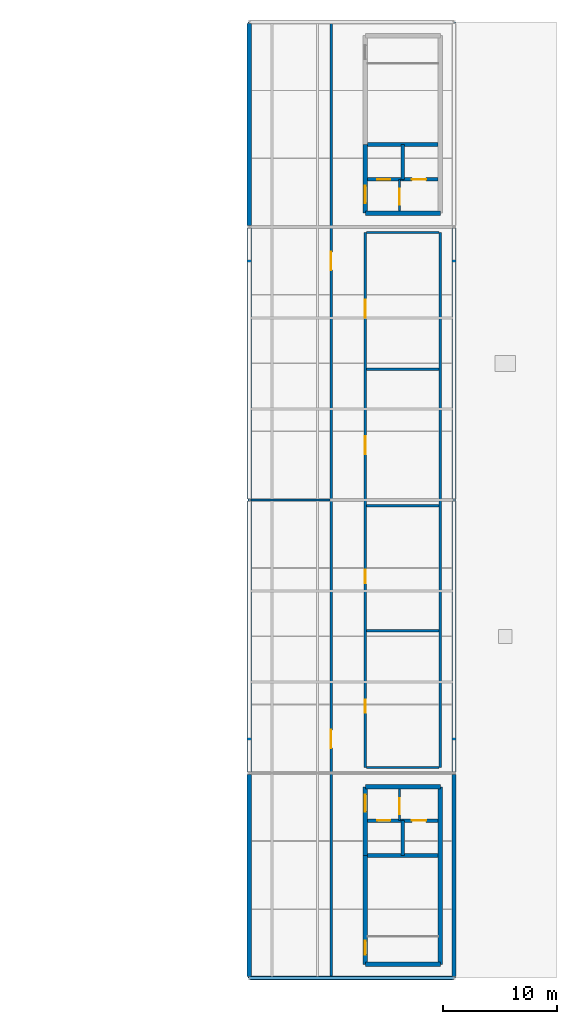
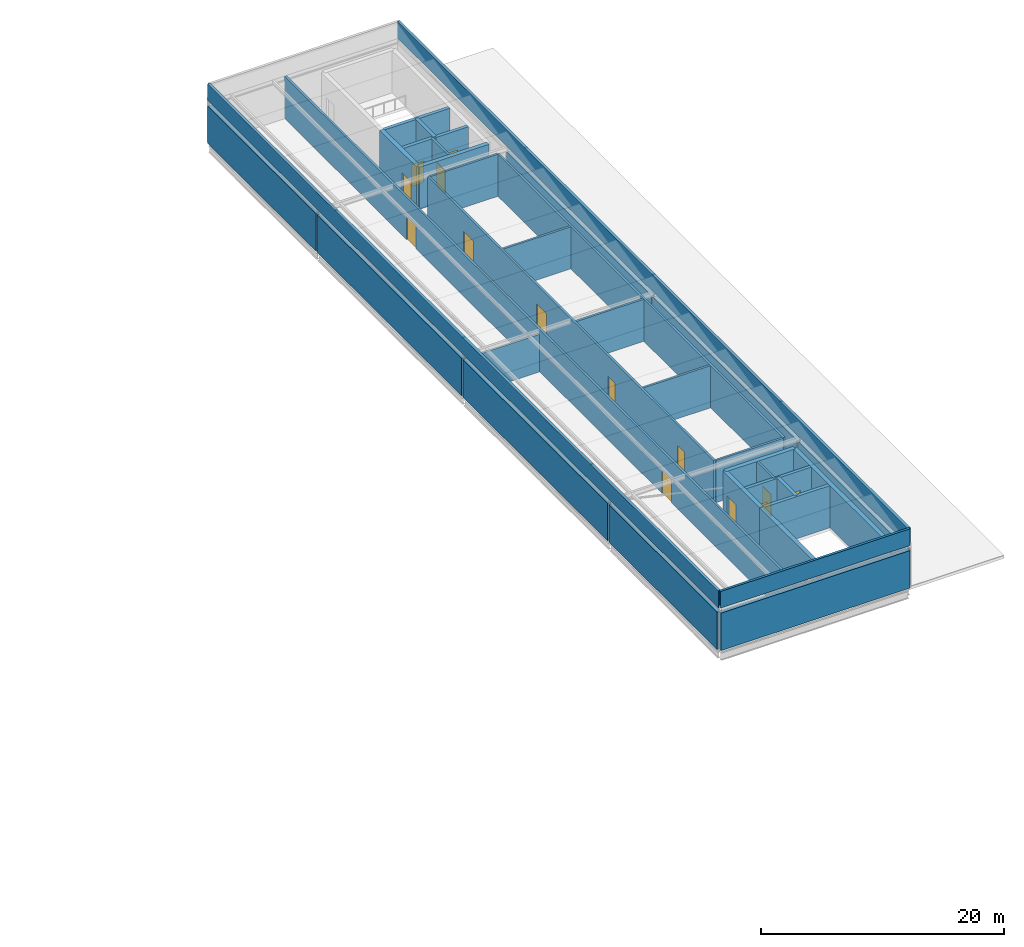
# One storey, part 11 of 13: 37 walls, 15 doors, 15 openings.
"""IFC4 building model written with IfcOpenShell, lengths in metres."""

from ifc_helpers import new_model, si_unit, direction, frame, frame_2d, origin, place, context, subcontext, project, spatial, rectangle, extrude, material, layer, layer_set, type_object, element, fill, save


model = new_model("IFC4")

# Units and contexts
model_context = context("Model", 3, precision=1e-05, world=origin(), true_north=direction((0.0, 1.0)))
body_context = subcontext(model_context, "Body", "Model", "MODEL_VIEW")
ifc_project = project(units=[si_unit("LENGTHUNIT", "METRE"), si_unit("AREAUNIT", "SQUARE_METRE"), si_unit("VOLUMEUNIT", "CUBIC_METRE"), si_unit("PLANEANGLEUNIT", "RADIAN"), si_unit("MASSUNIT", "GRAM", prefix="KILO")], contexts=[model_context])

# Site, building, storey
site_placement = place(None, origin())
site = spatial("IfcSite", under=ifc_project, at=site_placement, CompositionType="ELEMENT")
building_placement = place(site_placement, origin())
building = spatial("IfcBuilding", under=site, at=building_placement, Name="Kisiwana Market Hall", CompositionType="ELEMENT")
storey_placement = place(building_placement, frame((0.0, 0.0, 69.89990234375)))
storey = spatial("IfcBuildingStorey", under=building, at=storey_placement, Name="L16", CompositionType="ELEMENT", Elevation=69.89990234375)

# Wall, opening, door
ifc_material_1 = material(Name="Masonry blockwork", Category="masonry")
ifc_layer_1 = layer(ifc_material_1, 0.199951171875, Name="Plastered fire compartment block wall")
ifc_layer_set_1 = layer_set([ifc_layer_1], Name="WL-COMP-200")
wall_type_1 = type_object("IfcWallType", Name="WL-COMP-200", PredefinedType="PARTITIONING", material=ifc_layer_set_1)
wall_1_placement = place(storey_placement, frame((184.199951171875, 31.820068359375, 0.0), z_axis=(0.0, 0.0, 1.0), x_axis=(0.0, 1.0, 0.0)))
wall_1 = element("IfcWall", 1, at=wall_1_placement, inside=storey, type_object=wall_type_1, Name="Core E2 firefighting lobby wall W-3549", PredefinedType="PARTITIONING", context=body_context, shape_type="SweptSolid", body=[
    extrude(rectangle(XDim=2.780029296875, YDim=0.199951171875, at=frame_2d((1.39013671875, 0.0))), origin(), (0.0, 0.0, 1.0), 4.22509765625),
])
opening_1_placement = place(wall_1_placement, frame((0.550048828125, 0.0, 0.0)))
opening_1 = element("IfcOpeningElement", 2, at=opening_1_placement, cuts=wall_1, Name="Opening DR-L16-009", PredefinedType="OPENING", context=body_context, shape_type="SweptSolid", body=[
    extrude(rectangle(XDim=1.39990234375, YDim=2.25, at=frame_2d((0.699951171875, 1.125))), frame((0.0, 0.11181640625, 0.0), z_axis=(0.0, -1.0, 0.0), x_axis=(1.0, 0.0, 0.0)), (0.0, 0.0, 1.0), 0.223876953125),
])
ifc_material_2 = material(Name="Steel S275", Category="steel")
door_type_1 = type_object("IfcDoorType", Name="DR-FFLOB-FD120-1400", OperationType="DOUBLE_DOOR_SINGLE_SWING", PredefinedType="DOOR", material=ifc_material_2)
door_1_placement = place(opening_1_placement, origin())
door_1 = element("IfcDoor", 3, at=door_1_placement, inside=storey, type_object=door_type_1, Name="Firefighting Lift Lobby E2 Door (L16)", OperationType="DOUBLE_DOOR_SINGLE_SWING", OverallHeight=2.25, OverallWidth=1.39990234375, PredefinedType="DOOR", context=body_context, shape_type="SweptSolid", body=[
    extrude(rectangle(XDim=1.39990234375, YDim=2.25, at=frame_2d((0.699951171875, 1.125))), frame((0.0, 0.02490234375, 0.0), z_axis=(0.0, -1.0, 0.0), x_axis=(1.0, 0.0, 0.0)), (0.0, 0.0, 1.0), 0.050048828125),
])
fill(opening_1, door_1)

wall_2_placement = place(storey_placement, frame((184.199951171875, 85.39990234375, 0.0), z_axis=(0.0, 0.0, 1.0), x_axis=(0.0, 1.0, 0.0)))
wall_2 = element("IfcWall", 4, at=wall_2_placement, inside=storey, type_object=wall_type_1, Name="Core E1 firefighting lobby wall W-3550", PredefinedType="PARTITIONING", context=body_context, shape_type="SweptSolid", body=[
    extrude(rectangle(XDim=2.780029296875, YDim=0.199951171875, at=frame_2d((1.39013671875, 0.0))), origin(), (0.0, 0.0, 1.0), 4.22509765625),
])
opening_2_placement = place(wall_2_placement, frame((0.550048828125, 0.0, 0.0)))
opening_2 = element("IfcOpeningElement", 5, at=opening_2_placement, cuts=wall_2, Name="Opening DR-L16-012", PredefinedType="OPENING", context=body_context, shape_type="SweptSolid", body=[
    extrude(rectangle(XDim=1.39990234375, YDim=2.25, at=frame_2d((0.699951171875, 1.125))), frame((0.0, 0.11181640625, 0.0), z_axis=(0.0, -1.0, 0.0), x_axis=(1.0, 0.0, 0.0)), (0.0, 0.0, 1.0), 0.223876953125),
])
door_2_placement = place(opening_2_placement, origin())
door_2 = element("IfcDoor", 6, at=door_2_placement, inside=storey, type_object=door_type_1, Name="Firefighting Lift Lobby E1 Door (L16)", OperationType="DOUBLE_DOOR_SINGLE_SWING", OverallHeight=2.25, OverallWidth=1.39990234375, PredefinedType="DOOR", context=body_context, shape_type="SweptSolid", body=[
    extrude(rectangle(XDim=1.39990234375, YDim=2.25, at=frame_2d((0.699951171875, 1.125))), frame((0.0, 0.02490234375, 0.0), z_axis=(0.0, -1.0, 0.0), x_axis=(1.0, 0.0, 0.0)), (0.0, 0.0, 1.0), 0.050048828125),
])
fill(opening_2, door_2)

# Wall
wall_3_placement = place(storey_placement, frame((187.800048828125, 36.5, 0.0), z_axis=(0.0, 0.0, 1.0), x_axis=(0.0, 1.0, 0.0)))
element("IfcWall", 7, at=wall_3_placement, inside=storey, type_object=wall_type_1, Name="Interior partition W-3560", PredefinedType="PARTITIONING", context=body_context, shape_type="SweptSolid", body=[
    extrude(rectangle(XDim=47.0, YDim=0.199951171875, at=frame_2d((23.5, 0.0))), origin(), (0.0, 0.0, 1.0), 4.22509765625),
])

# Wall, openings, doors
wall_4_placement = place(storey_placement, frame((181.199951171875, 36.5, 0.0), z_axis=(0.0, 0.0, 1.0), x_axis=(0.0, 1.0, 0.0)))
wall_4 = element("IfcWall", 8, at=wall_4_placement, inside=storey, type_object=wall_type_1, Name="Interior partition W-3561", PredefinedType="PARTITIONING", context=body_context, shape_type="SweptSolid", body=[
    extrude(rectangle(XDim=47.0, YDim=0.199951171875, at=frame_2d((23.5, 0.0))), origin(), (0.0, 0.0, 1.0), 4.22509765625),
])
opening_3_placement = place(wall_4_placement, frame((4.800048828125, 0.0, 0.0)))
opening_3 = element("IfcOpeningElement", 9, at=opening_3_placement, cuts=wall_4, Name="Opening DR-L16-019", PredefinedType="OPENING", context=body_context, shape_type="SweptSolid", body=[
    extrude(rectangle(XDim=1.14990234375, YDim=2.14990234375, at=frame_2d((0.574951171875, 1.074951171875))), frame((0.0, 0.11181640625, 0.0), z_axis=(0.0, -1.0, 0.0), x_axis=(1.0, 0.0, 0.0)), (0.0, 0.0, 1.0), 0.223876953125),
])
opening_4_placement = place(wall_4_placement, frame((16.199951171875, 0.0, 0.0)))
opening_4 = element("IfcOpeningElement", 10, at=opening_4_placement, cuts=wall_4, Name="Opening DR-L16-020", PredefinedType="OPENING", context=body_context, shape_type="SweptSolid", body=[
    extrude(rectangle(XDim=1.14990234375, YDim=2.14990234375, at=frame_2d((0.574951171875, 1.074951171875))), frame((0.0, 0.11181640625, 0.0), z_axis=(0.0, -1.0, 0.0), x_axis=(1.0, 0.0, 0.0)), (0.0, 0.0, 1.0), 0.223876953125),
])
opening_5_placement = place(wall_4_placement, frame((27.5, 0.0, 0.0)))
opening_5 = element("IfcOpeningElement", 11, at=opening_5_placement, cuts=wall_4, Name="Opening DR-L16-021", PredefinedType="OPENING", context=body_context, shape_type="SweptSolid", body=[
    extrude(rectangle(XDim=1.60009765625, YDim=2.300048828125, at=frame_2d((0.800048828125, 1.14990234375))), frame((0.0, 0.11181640625, 0.0), z_axis=(0.0, -1.0, 0.0), x_axis=(1.0, 0.0, 0.0)), (0.0, 0.0, 1.0), 0.223876953125),
])
opening_6_placement = place(wall_4_placement, frame((39.5, 0.0, 0.0)))
opening_6 = element("IfcOpeningElement", 12, at=opening_6_placement, cuts=wall_4, Name="Opening DR-L16-022", PredefinedType="OPENING", context=body_context, shape_type="SweptSolid", body=[
    extrude(rectangle(XDim=1.60009765625, YDim=2.300048828125, at=frame_2d((0.800048828125, 1.14990234375))), frame((0.0, 0.11181640625, 0.0), z_axis=(0.0, -1.0, 0.0), x_axis=(1.0, 0.0, 0.0)), (0.0, 0.0, 1.0), 0.223876953125),
])
ifc_material_3 = material(Name="Aluminium alloy 6063-T6", Category="aluminium")
door_type_2 = type_object("IfcDoorType", Name="DR-MEET-1150", OperationType="NOTDEFINED", PredefinedType="DOOR", material=ifc_material_3)
door_3_placement = place(opening_3_placement, origin())
door_3 = element("IfcDoor", 13, at=door_3_placement, inside=storey, type_object=door_type_2, Name="L16 E Observatory Gallery Door", OperationType="SINGLE_SWING_LEFT", OverallHeight=2.14990234375, OverallWidth=1.14990234375, PredefinedType="DOOR", context=body_context, shape_type="SweptSolid", body=[
    extrude(rectangle(XDim=1.14990234375, YDim=2.14990234375, at=frame_2d((0.574951171875, 1.074951171875))), frame((0.0, 0.02490234375, 0.0), z_axis=(0.0, -1.0, 0.0), x_axis=(1.0, 0.0, 0.0)), (0.0, 0.0, 1.0), 0.050048828125),
])
fill(opening_3, door_3)
door_4_placement = place(opening_4_placement, frame((1.14990234375, 0.0, 0.0), z_axis=(0.0, 0.0, 1.0), x_axis=(-1.0, 0.0, 0.0)))
door_4 = element("IfcDoor", 14, at=door_4_placement, inside=storey, type_object=door_type_2, Name="L16 E Crown Executive Boardroom Door", OperationType="SINGLE_SWING_RIGHT", OverallHeight=2.14990234375, OverallWidth=1.14990234375, PredefinedType="DOOR", context=body_context, shape_type="SweptSolid", body=[
    extrude(rectangle(XDim=1.14990234375, YDim=2.14990234375, at=frame_2d((0.574951171875, 1.074951171875))), frame((0.0, 0.02490234375, 0.0), z_axis=(0.0, -1.0, 0.0), x_axis=(1.0, 0.0, 0.0)), (0.0, 0.0, 1.0), 0.050048828125),
])
fill(opening_4, door_4)
ifc_material_4 = material(Name="Steel S275", Category="steel")
door_type_3 = type_object("IfcDoorType", Name="DR-PLANT-FD120-1600", OperationType="DOUBLE_DOOR_SINGLE_SWING", PredefinedType="DOOR", material=ifc_material_4)
door_5_placement = place(opening_5_placement, frame((1.60009765625, 0.0, 0.0), z_axis=(0.0, 0.0, 1.0), x_axis=(-1.0, 0.0, 0.0)))
door_5 = element("IfcDoor", 15, at=door_5_placement, inside=storey, type_object=door_type_3, Name="L16 E Water Tank Room Door", OperationType="DOUBLE_DOOR_SINGLE_SWING", OverallHeight=2.300048828125, OverallWidth=1.60009765625, PredefinedType="DOOR", context=body_context, shape_type="SweptSolid", body=[
    extrude(rectangle(XDim=1.60009765625, YDim=2.300048828125, at=frame_2d((0.800048828125, 1.14990234375))), frame((0.0, 0.02490234375, 0.0), z_axis=(0.0, -1.0, 0.0), x_axis=(1.0, 0.0, 0.0)), (0.0, 0.0, 1.0), 0.050048828125),
])
fill(opening_5, door_5)
door_6_placement = place(opening_6_placement, frame((1.60009765625, 0.0, 0.0), z_axis=(0.0, 0.0, 1.0), x_axis=(-1.0, 0.0, 0.0)))
door_6 = element("IfcDoor", 16, at=door_6_placement, inside=storey, type_object=door_type_3, Name="L16 E Chiller Plant Door", OperationType="DOUBLE_DOOR_SINGLE_SWING", OverallHeight=2.300048828125, OverallWidth=1.60009765625, PredefinedType="DOOR", context=body_context, shape_type="SweptSolid", body=[
    extrude(rectangle(XDim=1.60009765625, YDim=2.300048828125, at=frame_2d((0.800048828125, 1.14990234375))), frame((0.0, 0.02490234375, 0.0), z_axis=(0.0, -1.0, 0.0), x_axis=(1.0, 0.0, 0.0)), (0.0, 0.0, 1.0), 0.050048828125),
])
fill(opening_6, door_6)

# Walls
for number, where, z_axis, x_axis, name in (
    (17, (181.300048828125, 36.5, 0.0), (0.0, 0.0, 1.0), (1.0, 0.0, 0.0), "Interior partition W-3562"),
    (18, (181.300048828125, 48.5, 0.0), (0.0, 0.0, 1.0), (1.0, 0.0, 0.0), "Interior partition W-3563"),
    (19, (181.300048828125, 59.5, 0.0), (0.0, 0.0, 1.0), (1.0, 0.0, 0.0), "Interior partition W-3564"),
    (20, (181.300048828125, 71.5, 0.0), (0.0, 0.0, 1.0), (1.0, 0.0, 0.0), "Interior partition W-3565"),
    (21, (181.300048828125, 83.5, 0.0), (0.0, 0.0, 1.0), (1.0, 0.0, 0.0), "Interior partition W-3566"),
):
    element("IfcWall", number, at=place(storey_placement, frame(where, z_axis=z_axis, x_axis=x_axis)), inside=storey, type_object=wall_type_1, Name=name, PredefinedType="PARTITIONING", context=body_context, shape_type="SweptSolid", body=[
        extrude(rectangle(XDim=6.39990234375, YDim=0.199951171875, at=frame_2d((3.199951171875, 0.0))), origin(), (0.0, 0.0, 1.0), 4.22509765625),
    ])
wall_5_placement = place(storey_placement, frame((171.14501953125, 60.0, 0.0), z_axis=(0.0, 0.0, 1.0), x_axis=(1.0, 0.0, 0.0)))
element("IfcWall", 22, at=wall_5_placement, inside=storey, type_object=wall_type_1, Name="Interior partition W-3567", PredefinedType="PARTITIONING", context=body_context, shape_type="SweptSolid", body=[
    extrude(rectangle(XDim=6.955078125, YDim=0.199951171875, at=frame_2d((3.4775390625, 0.0))), origin(), (0.0, 0.0, 1.0), 3.76513671875),
])

# Wall, openings, doors
wall_6_placement = place(storey_placement, frame((178.199951171875, 18.14501953125, 0.0), z_axis=(0.0, 0.0, 1.0), x_axis=(0.0, 1.0, 0.0)))
wall_6 = element("IfcWall", 23, at=wall_6_placement, inside=storey, type_object=wall_type_1, Name="Interior partition W-3568", PredefinedType="PARTITIONING", context=body_context, shape_type="SweptSolid", body=[
    extrude(rectangle(XDim=83.7099609375, YDim=0.199951171875, at=frame_2d((41.85498046875, 0.0))), origin(), (0.0, 0.0, 1.0), 4.22509765625),
])
opening_7_placement = place(wall_6_placement, frame((20.054931640625, 0.0, 0.0)))
opening_7 = element("IfcOpeningElement", 24, at=opening_7_placement, cuts=wall_6, Name="Opening DR-L16-023", PredefinedType="OPENING", context=body_context, shape_type="SweptSolid", body=[
    extrude(rectangle(XDim=1.60009765625, YDim=2.300048828125, at=frame_2d((0.800048828125, 1.14990234375))), frame((0.0, 0.11181640625, 0.0), z_axis=(0.0, -1.0, 0.0), x_axis=(1.0, 0.0, 0.0)), (0.0, 0.0, 1.0), 0.223876953125),
])
opening_8_placement = place(wall_6_placement, frame((62.054931640625, 0.0, 0.0)))
opening_8 = element("IfcOpeningElement", 25, at=opening_8_placement, cuts=wall_6, Name="Opening DR-L16-024", PredefinedType="OPENING", context=body_context, shape_type="SweptSolid", body=[
    extrude(rectangle(XDim=1.60009765625, YDim=2.300048828125, at=frame_2d((0.800048828125, 1.14990234375))), frame((0.0, 0.11181640625, 0.0), z_axis=(0.0, -1.0, 0.0), x_axis=(1.0, 0.0, 0.0)), (0.0, 0.0, 1.0), 0.223876953125),
])
door_7_placement = place(opening_7_placement, origin())
door_7 = element("IfcDoor", 26, at=door_7_placement, inside=storey, type_object=door_type_3, Name="L16 E Lift Machine and Pressurization Fan Room Door", OperationType="DOUBLE_DOOR_SINGLE_SWING", OverallHeight=2.300048828125, OverallWidth=1.60009765625, PredefinedType="DOOR", context=body_context, shape_type="SweptSolid", body=[
    extrude(rectangle(XDim=1.60009765625, YDim=2.300048828125, at=frame_2d((0.800048828125, 1.14990234375))), frame((0.0, 0.02490234375, 0.0), z_axis=(0.0, -1.0, 0.0), x_axis=(1.0, 0.0, 0.0)), (0.0, 0.0, 1.0), 0.050048828125),
])
fill(opening_7, door_7)
door_8_placement = place(opening_8_placement, origin())
door_8 = element("IfcDoor", 27, at=door_8_placement, inside=storey, type_object=door_type_3, Name="L16 E Standby Power and Switchgear Plant Room Door", OperationType="DOUBLE_DOOR_SINGLE_SWING", OverallHeight=2.300048828125, OverallWidth=1.60009765625, PredefinedType="DOOR", context=body_context, shape_type="SweptSolid", body=[
    extrude(rectangle(XDim=1.60009765625, YDim=2.300048828125, at=frame_2d((0.800048828125, 1.14990234375))), frame((0.0, 0.02490234375, 0.0), z_axis=(0.0, -1.0, 0.0), x_axis=(1.0, 0.0, 0.0)), (0.0, 0.0, 1.0), 0.050048828125),
])
fill(opening_8, door_8)

# Walls
ifc_material_5 = material(Name="Concrete C40/50", Category="concrete")
ifc_layer_2 = layer(ifc_material_5, 0.320068359375, Name="Reinforced concrete shaft wall")
ifc_layer_set_2 = layer_set([ifc_layer_2], Name="WL-CORE-320")
wall_type_2 = type_object("IfcWallType", Name="WL-CORE-320", PredefinedType="SHEAR", material=ifc_layer_set_2)
wall_7_placement = place(storey_placement, frame((181.39990234375, 28.760009765625, 0.0), z_axis=(0.0, 0.0, 1.0), x_axis=(1.0, 0.0, 0.0)))
element("IfcWall", 28, at=wall_7_placement, inside=storey, type_object=wall_type_2, Name="Core E2 shaft back shear wall W-3514", PredefinedType="SHEAR", context=body_context, shape_type="SweptSolid", body=[
    extrude(rectangle(XDim=6.2001953125, YDim=0.320068359375, at=frame_2d((3.10009765625, 0.0))), origin(), (0.0, 0.0, 1.0), 4.22509765625),
])
wall_8_placement = place(storey_placement, frame((184.5, 28.760009765625, 0.0), z_axis=(0.0, 0.0, 1.0), x_axis=(0.0, 1.0, 0.0)))
element("IfcWall", 29, at=wall_8_placement, inside=storey, type_object=wall_type_2, Name="Core E2 inter-shaft shear wall W-3515", PredefinedType="SHEAR", context=body_context, shape_type="SweptSolid", body=[
    extrude(rectangle(XDim=3.06005859375, YDim=0.320068359375, at=frame_2d((1.530029296875, 0.0))), origin(), (0.0, 0.0, 1.0), 4.22509765625),
])

# Wall, opening, door
wall_9_placement = place(storey_placement, frame((181.39990234375, 31.820068359375, 0.0), z_axis=(0.0, 0.0, 1.0), x_axis=(1.0, 0.0, 0.0)))
wall_9 = element("IfcWall", 30, at=wall_9_placement, inside=storey, type_object=wall_type_2, Name="Core E2 west lift front wall W-3516", PredefinedType="SHEAR", context=body_context, shape_type="SweptSolid", body=[
    extrude(rectangle(XDim=3.10009765625, YDim=0.320068359375, at=frame_2d((1.550048828125, 0.0))), origin(), (0.0, 0.0, 1.0), 4.22509765625),
])
opening_9_placement = place(wall_9_placement, frame((0.85009765625, 0.0, 0.0)))
opening_9 = element("IfcOpeningElement", 31, at=opening_9_placement, cuts=wall_9, Name="Opening LD-L16-005", PredefinedType="OPENING", context=body_context, shape_type="SweptSolid", body=[
    extrude(rectangle(XDim=1.14990234375, YDim=2.199951171875, at=frame_2d((0.574951171875, 1.10009765625))), frame((0.0, 0.171875, 0.0), z_axis=(0.0, -1.0, 0.0), x_axis=(1.0, 0.0, 0.0)), (0.0, 0.0, 1.0), 0.343994140625),
])
ifc_material_6 = material(Name="Steel S275", Category="steel")
door_type_4 = type_object("IfcDoorType", Name="DR-LIFT-PAX-1150", OperationType="DOUBLE_DOOR_SLIDING", PredefinedType="DOOR", material=ifc_material_6)
door_9_placement = place(opening_9_placement, origin())
door_9 = element("IfcDoor", 32, at=door_9_placement, inside=storey, type_object=door_type_4, Name="Lift Landing Door LP-03 (L16)", OperationType="DOUBLE_DOOR_SLIDING", OverallHeight=2.199951171875, OverallWidth=1.14990234375, PredefinedType="DOOR", context=body_context, shape_type="SweptSolid", body=[
    extrude(rectangle(XDim=1.14990234375, YDim=2.199951171875, at=frame_2d((0.574951171875, 1.10009765625))), frame((0.0, 0.02490234375, 0.0), z_axis=(0.0, -1.0, 0.0), x_axis=(1.0, 0.0, 0.0)), (0.0, 0.0, 1.0), 0.050048828125),
])
fill(opening_9, door_9)

wall_10_placement = place(storey_placement, frame((184.5, 31.820068359375, 0.0), z_axis=(0.0, 0.0, 1.0), x_axis=(1.0, 0.0, 0.0)))
wall_10 = element("IfcWall", 33, at=wall_10_placement, inside=storey, type_object=wall_type_2, Name="Core E2 east lift front wall W-3517", PredefinedType="SHEAR", context=body_context, shape_type="SweptSolid", body=[
    extrude(rectangle(XDim=3.10009765625, YDim=0.320068359375, at=frame_2d((1.550048828125, 0.0))), origin(), (0.0, 0.0, 1.0), 4.22509765625),
])
opening_10_placement = place(wall_10_placement, frame((0.800048828125, 0.0, 0.0)))
opening_10 = element("IfcOpeningElement", 34, at=opening_10_placement, cuts=wall_10, Name="Opening LD-L16-006", PredefinedType="OPENING", context=body_context, shape_type="SweptSolid", body=[
    extrude(rectangle(XDim=1.25, YDim=2.25, at=frame_2d((0.625, 1.125))), frame((0.0, 0.171875, 0.0), z_axis=(0.0, -1.0, 0.0), x_axis=(1.0, 0.0, 0.0)), (0.0, 0.0, 1.0), 0.343994140625),
])
ifc_material_7 = material(Name="Steel S275", Category="steel")
door_type_5 = type_object("IfcDoorType", Name="DR-LIFT-FFL-1250", OperationType="DOUBLE_DOOR_SLIDING", PredefinedType="DOOR", material=ifc_material_7)
door_10_placement = place(opening_10_placement, origin())
door_10 = element("IfcDoor", 35, at=door_10_placement, inside=storey, type_object=door_type_5, Name="Lift Landing Door FFL-03 (L16)", OperationType="DOUBLE_DOOR_SLIDING", OverallHeight=2.25, OverallWidth=1.25, PredefinedType="DOOR", context=body_context, shape_type="SweptSolid", body=[
    extrude(rectangle(XDim=1.25, YDim=2.25, at=frame_2d((0.625, 1.125))), frame((0.0, 0.02490234375, 0.0), z_axis=(0.0, -1.0, 0.0), x_axis=(1.0, 0.0, 0.0)), (0.0, 0.0, 1.0), 0.050048828125),
])
fill(opening_10, door_10)

# Walls
wall_11_placement = place(storey_placement, frame((181.39990234375, 91.239990234375, 0.0), z_axis=(0.0, 0.0, 1.0), x_axis=(1.0, 0.0, 0.0)))
element("IfcWall", 36, at=wall_11_placement, inside=storey, type_object=wall_type_2, Name="Core E1 shaft back shear wall W-3523", PredefinedType="SHEAR", context=body_context, shape_type="SweptSolid", body=[
    extrude(rectangle(XDim=6.2001953125, YDim=0.320068359375, at=frame_2d((3.10009765625, 0.0))), origin(), (0.0, 0.0, 1.0), 4.22509765625),
])
wall_12_placement = place(storey_placement, frame((184.5, 88.179931640625, 0.0), z_axis=(0.0, 0.0, 1.0), x_axis=(0.0, 1.0, 0.0)))
element("IfcWall", 37, at=wall_12_placement, inside=storey, type_object=wall_type_2, Name="Core E1 inter-shaft shear wall W-3524", PredefinedType="SHEAR", context=body_context, shape_type="SweptSolid", body=[
    extrude(rectangle(XDim=3.06005859375, YDim=0.320068359375, at=frame_2d((1.530029296875, 0.0))), origin(), (0.0, 0.0, 1.0), 4.22509765625),
])

# Wall, opening, door
wall_13_placement = place(storey_placement, frame((181.39990234375, 88.179931640625, 0.0), z_axis=(0.0, 0.0, 1.0), x_axis=(1.0, 0.0, 0.0)))
wall_13 = element("IfcWall", 38, at=wall_13_placement, inside=storey, type_object=wall_type_2, Name="Core E1 west lift front wall W-3525", PredefinedType="SHEAR", context=body_context, shape_type="SweptSolid", body=[
    extrude(rectangle(XDim=3.10009765625, YDim=0.320068359375, at=frame_2d((1.550048828125, 0.0))), origin(), (0.0, 0.0, 1.0), 4.22509765625),
])
opening_11_placement = place(wall_13_placement, frame((0.85009765625, 0.0, 0.0)))
opening_11 = element("IfcOpeningElement", 39, at=opening_11_placement, cuts=wall_13, Name="Opening LD-L16-007", PredefinedType="OPENING", context=body_context, shape_type="SweptSolid", body=[
    extrude(rectangle(XDim=1.14990234375, YDim=2.199951171875, at=frame_2d((0.574951171875, 1.10009765625))), frame((0.0, 0.171875, 0.0), z_axis=(0.0, -1.0, 0.0), x_axis=(1.0, 0.0, 0.0)), (0.0, 0.0, 1.0), 0.343994140625),
])
door_11_placement = place(opening_11_placement, origin())
door_11 = element("IfcDoor", 40, at=door_11_placement, inside=storey, type_object=door_type_4, Name="Lift Landing Door LP-04 (L16)", OperationType="DOUBLE_DOOR_SLIDING", OverallHeight=2.199951171875, OverallWidth=1.14990234375, PredefinedType="DOOR", context=body_context, shape_type="SweptSolid", body=[
    extrude(rectangle(XDim=1.14990234375, YDim=2.199951171875, at=frame_2d((0.574951171875, 1.10009765625))), frame((0.0, 0.02490234375, 0.0), z_axis=(0.0, -1.0, 0.0), x_axis=(1.0, 0.0, 0.0)), (0.0, 0.0, 1.0), 0.050048828125),
])
fill(opening_11, door_11)

wall_14_placement = place(storey_placement, frame((184.5, 88.179931640625, 0.0), z_axis=(0.0, 0.0, 1.0), x_axis=(1.0, 0.0, 0.0)))
wall_14 = element("IfcWall", 41, at=wall_14_placement, inside=storey, type_object=wall_type_2, Name="Core E1 east lift front wall W-3526", PredefinedType="SHEAR", context=body_context, shape_type="SweptSolid", body=[
    extrude(rectangle(XDim=3.10009765625, YDim=0.320068359375, at=frame_2d((1.550048828125, 0.0))), origin(), (0.0, 0.0, 1.0), 4.22509765625),
])
opening_12_placement = place(wall_14_placement, frame((0.800048828125, 0.0, 0.0)))
opening_12 = element("IfcOpeningElement", 42, at=opening_12_placement, cuts=wall_14, Name="Opening LD-L16-008", PredefinedType="OPENING", context=body_context, shape_type="SweptSolid", body=[
    extrude(rectangle(XDim=1.25, YDim=2.25, at=frame_2d((0.625, 1.125))), frame((0.0, 0.171875, 0.0), z_axis=(0.0, -1.0, 0.0), x_axis=(1.0, 0.0, 0.0)), (0.0, 0.0, 1.0), 0.343994140625),
])
door_12_placement = place(opening_12_placement, origin())
door_12 = element("IfcDoor", 43, at=door_12_placement, inside=storey, type_object=door_type_5, Name="Lift Landing Door FFL-04 (L16)", OperationType="DOUBLE_DOOR_SLIDING", OverallHeight=2.25, OverallWidth=1.25, PredefinedType="DOOR", context=body_context, shape_type="SweptSolid", body=[
    extrude(rectangle(XDim=1.25, YDim=2.25, at=frame_2d((0.625, 1.125))), frame((0.0, 0.02490234375, 0.0), z_axis=(0.0, -1.0, 0.0), x_axis=(1.0, 0.0, 0.0)), (0.0, 0.0, 1.0), 0.050048828125),
])
fill(opening_12, door_12)

# Walls
ifc_material_8 = material(Name="Concrete C40/50", Category="concrete")
ifc_layer_3 = layer(ifc_material_8, 0.39990234375, Name="Reinforced concrete core wall")
ifc_layer_set_3 = layer_set([ifc_layer_3], Name="WL-CORE-400")
wall_type_3 = type_object("IfcWallType", Name="WL-CORE-400", PredefinedType="SHEAR", material=ifc_layer_set_3)
for number, where, z_axis, x_axis, name in (
    (44, (181.199951171875, 19.199951171875, 0.0), (0.0, 0.0, 1.0), (1.0, 0.0, 0.0), "Core E2 south shear wall W-3509"),
    (45, (181.199951171875, 34.800048828125, 0.0), (0.0, 0.0, 1.0), (1.0, 0.0, 0.0), "Core E2 north shear wall W-3510"),
):
    element("IfcWall", number, at=place(storey_placement, frame(where, z_axis=z_axis, x_axis=x_axis)), inside=storey, type_object=wall_type_3, Name=name, PredefinedType="SHEAR", context=body_context, shape_type="SweptSolid", body=[
        extrude(rectangle(XDim=6.60009765625, YDim=0.39990234375, at=frame_2d((3.300048828125, 0.0))), origin(), (0.0, 0.0, 1.0), 4.22509765625),
    ])
wall_15_placement = place(storey_placement, frame((187.800048828125, 19.199951171875, 0.0), z_axis=(0.0, 0.0, 1.0), x_axis=(0.0, 1.0, 0.0)))
element("IfcWall", 46, at=wall_15_placement, inside=storey, type_object=wall_type_3, Name="Core E2 outer shear wall W-3511", PredefinedType="SHEAR", context=body_context, shape_type="SweptSolid", body=[
    extrude(rectangle(XDim=15.60009765625, YDim=0.39990234375, at=frame_2d((7.800048828125, 0.0))), origin(), (0.0, 0.0, 1.0), 4.22509765625),
])

# Wall, opening, door
wall_16_placement = place(storey_placement, frame((181.199951171875, 19.199951171875, 0.0), z_axis=(0.0, 0.0, 1.0), x_axis=(0.0, 1.0, 0.0)))
wall_16 = element("IfcWall", 47, at=wall_16_placement, inside=storey, type_object=wall_type_3, Name="Core E2 stair corridor shear wall W-3512", PredefinedType="SHEAR", context=body_context, shape_type="SweptSolid", body=[
    extrude(rectangle(XDim=9.56005859375, YDim=0.39990234375, at=frame_2d((4.780029296875, 0.0))), origin(), (0.0, 0.0, 1.0), 4.22509765625),
])
opening_13_placement = place(wall_16_placement, frame((0.85009765625, 0.0, 0.0)))
opening_13 = element("IfcOpeningElement", 48, at=opening_13_placement, cuts=wall_16, Name="Opening DR-L16-007", PredefinedType="OPENING", context=body_context, shape_type="SweptSolid", body=[
    extrude(rectangle(XDim=1.199951171875, YDim=2.199951171875, at=frame_2d((0.60009765625, 1.10009765625))), frame((0.0, 0.2119140625, 0.0), z_axis=(0.0, -1.0, 0.0), x_axis=(1.0, 0.0, 0.0)), (0.0, 0.0, 1.0), 0.423828125),
])
ifc_material_9 = material(Name="Steel S275", Category="steel")
door_type_6 = type_object("IfcDoorType", Name="DR-STAIR-FD120-1200", OperationType="NOTDEFINED", PredefinedType="DOOR", material=ifc_material_9)
door_13_placement = place(opening_13_placement, frame((1.199951171875, 0.0, 0.0), z_axis=(0.0, 0.0, 1.0), x_axis=(-1.0, 0.0, 0.0)))
door_13 = element("IfcDoor", 49, at=door_13_placement, inside=storey, type_object=door_type_6, Name="Escape Stair E2 Fire Door (L16)", OperationType="SINGLE_SWING_RIGHT", OverallHeight=2.199951171875, OverallWidth=1.199951171875, PredefinedType="DOOR", context=body_context, shape_type="SweptSolid", body=[
    extrude(rectangle(XDim=1.199951171875, YDim=2.199951171875, at=frame_2d((0.60009765625, 1.10009765625))), frame((0.0, 0.02490234375, 0.0), z_axis=(0.0, -1.0, 0.0), x_axis=(1.0, 0.0, 0.0)), (0.0, 0.0, 1.0), 0.050048828125),
])
fill(opening_13, door_13)

wall_17_placement = place(storey_placement, frame((181.199951171875, 28.760009765625, 0.0), z_axis=(0.0, 0.0, 1.0), x_axis=(0.0, 1.0, 0.0)))
wall_17 = element("IfcWall", 50, at=wall_17_placement, inside=storey, type_object=wall_type_3, Name="Core E2 lobby corridor shear wall W-3513", PredefinedType="SHEAR", context=body_context, shape_type="SweptSolid", body=[
    extrude(rectangle(XDim=6.0400390625, YDim=0.39990234375, at=frame_2d((3.02001953125, 0.0))), origin(), (0.0, 0.0, 1.0), 4.22509765625),
])
opening_14_placement = place(wall_17_placement, frame((3.85009765625, 0.0, 0.0)))
opening_14 = element("IfcOpeningElement", 51, at=opening_14_placement, cuts=wall_17, Name="Opening DR-L16-008", PredefinedType="OPENING", context=body_context, shape_type="SweptSolid", body=[
    extrude(rectangle(XDim=1.5, YDim=2.199951171875, at=frame_2d((0.75, 1.10009765625))), frame((0.0, 0.2119140625, 0.0), z_axis=(0.0, -1.0, 0.0), x_axis=(1.0, 0.0, 0.0)), (0.0, 0.0, 1.0), 0.423828125),
])
ifc_material_10 = material(Name="Steel S275", Category="steel")
door_type_7 = type_object("IfcDoorType", Name="DR-CORR-FD60-1500", OperationType="DOUBLE_DOOR_SINGLE_SWING", PredefinedType="DOOR", material=ifc_material_10)
door_14_placement = place(opening_14_placement, origin())
door_14 = element("IfcDoor", 52, at=door_14_placement, inside=storey, type_object=door_type_7, Name="Passenger Lift Lobby E2 Smoke Door (L16)", OperationType="DOUBLE_DOOR_SINGLE_SWING", OverallHeight=2.199951171875, OverallWidth=1.5, PredefinedType="DOOR", context=body_context, shape_type="SweptSolid", body=[
    extrude(rectangle(XDim=1.5, YDim=2.199951171875, at=frame_2d((0.75, 1.10009765625))), frame((0.0, 0.02490234375, 0.0), z_axis=(0.0, -1.0, 0.0), x_axis=(1.0, 0.0, 0.0)), (0.0, 0.0, 1.0), 0.050048828125),
])
fill(opening_14, door_14)

# Wall
wall_18_placement = place(storey_placement, frame((181.199951171875, 85.199951171875, 0.0), z_axis=(0.0, 0.0, 1.0), x_axis=(1.0, 0.0, 0.0)))
element("IfcWall", 53, at=wall_18_placement, inside=storey, type_object=wall_type_3, Name="Core E1 south shear wall W-3518", PredefinedType="SHEAR", context=body_context, shape_type="SweptSolid", body=[
    extrude(rectangle(XDim=6.60009765625, YDim=0.39990234375, at=frame_2d((3.300048828125, 0.0))), origin(), (0.0, 0.0, 1.0), 4.22509765625),
])

# Wall, opening, door
wall_19_placement = place(storey_placement, frame((181.199951171875, 85.199951171875, 0.0), z_axis=(0.0, 0.0, 1.0), x_axis=(0.0, 1.0, 0.0)))
wall_19 = element("IfcWall", 54, at=wall_19_placement, inside=storey, type_object=wall_type_3, Name="Core E1 lobby corridor shear wall W-3521", PredefinedType="SHEAR", context=body_context, shape_type="SweptSolid", body=[
    extrude(rectangle(XDim=6.0400390625, YDim=0.39990234375, at=frame_2d((3.02001953125, 0.0))), origin(), (0.0, 0.0, 1.0), 4.22509765625),
])
opening_15_placement = place(wall_19_placement, frame((0.89990234375, 0.0, 0.0)))
opening_15 = element("IfcOpeningElement", 55, at=opening_15_placement, cuts=wall_19, Name="Opening DR-L16-010", PredefinedType="OPENING", context=body_context, shape_type="SweptSolid", body=[
    extrude(rectangle(XDim=1.5, YDim=2.199951171875, at=frame_2d((0.75, 1.10009765625))), frame((0.0, 0.2119140625, 0.0), z_axis=(0.0, -1.0, 0.0), x_axis=(1.0, 0.0, 0.0)), (0.0, 0.0, 1.0), 0.423828125),
])
door_15_placement = place(opening_15_placement, origin())
door_15 = element("IfcDoor", 56, at=door_15_placement, inside=storey, type_object=door_type_7, Name="Passenger Lift Lobby E1 Smoke Door (L16)", OperationType="DOUBLE_DOOR_SINGLE_SWING", OverallHeight=2.199951171875, OverallWidth=1.5, PredefinedType="DOOR", context=body_context, shape_type="SweptSolid", body=[
    extrude(rectangle(XDim=1.5, YDim=2.199951171875, at=frame_2d((0.75, 1.10009765625))), frame((0.0, 0.02490234375, 0.0), z_axis=(0.0, -1.0, 0.0), x_axis=(1.0, 0.0, 0.0)), (0.0, 0.0, 1.0), 0.050048828125),
])
fill(opening_15, door_15)

# Walls
ifc_material_11 = material(Name="Concrete C40/50 precast", Category="concrete")
ifc_layer_4 = layer(ifc_material_11, 0.364990234375)
ifc_layer_set_4 = layer_set([ifc_layer_4], Name="WL-EXT-365")
wall_type_4 = type_object("IfcWallType", Name="WL-EXT-365", PredefinedType="STANDARD", material=ifc_layer_set_4)
wall_20_placement = place(storey_placement, frame((171.010009765625, 18.0, 0.0), z_axis=(0.0, 0.0, 1.0), x_axis=(1.0, 0.0, 0.0)))
element("IfcWall", 57, at=wall_20_placement, inside=storey, type_object=wall_type_4, Name="Exterior wall W-3528", PredefinedType="STANDARD", context=body_context, shape_type="SweptSolid", body=[
    extrude(rectangle(XDim=17.97998046875, YDim=0.364990234375, at=frame_2d((8.989990234375, 0.0))), origin(), (0.0, 0.0, 1.0), 3.76513671875),
])
wall_21_placement = place(storey_placement, frame((171.0, 18.107666015625, 0.0), z_axis=(0.0, 0.0, 1.0), x_axis=(0.0, 1.0, 0.0)))
element("IfcWall", 58, at=wall_21_placement, inside=storey, type_object=wall_type_4, Name="Exterior wall W-3539", PredefinedType="STANDARD", context=body_context, shape_type="SweptSolid", body=[
    extrude(rectangle(XDim=17.78466796875, YDim=0.364990234375, at=frame_2d((8.892333984375, 0.0))), origin(), (0.0, 0.0, 1.0), 3.76513671875),
])
for number, where, z_axis, x_axis, name in (
    (59, (171.0, 36.107666015625, 0.0), (0.0, 0.0, 1.0), (0.0, 1.0, 0.0), "Exterior wall W-3540"),
    (60, (171.0, 60.107666015625, 0.0), (0.0, 0.0, 1.0), (0.0, 1.0, 0.0), "Exterior wall W-3541"),
):
    element("IfcWall", number, at=place(storey_placement, frame(where, z_axis=z_axis, x_axis=x_axis)), inside=storey, type_object=wall_type_4, Name=name, PredefinedType="STANDARD", context=body_context, shape_type="SweptSolid", body=[
        extrude(rectangle(XDim=23.78466796875, YDim=0.364990234375, at=frame_2d((11.892333984375, 0.0))), origin(), (0.0, 0.0, 1.0), 3.76513671875),
    ])
for number, where, z_axis, x_axis, name in (
    (61, (171.0, 84.107666015625, 0.0), (0.0, 0.0, 1.0), (0.0, 1.0, 0.0), "Exterior wall W-3542"),
    (62, (189.0, 18.107666015625, 0.0), (0.0, 0.0, 1.0), (0.0, 1.0, 0.0), "Exterior wall W-3543"),
):
    element("IfcWall", number, at=place(storey_placement, frame(where, z_axis=z_axis, x_axis=x_axis)), inside=storey, type_object=wall_type_4, Name=name, PredefinedType="STANDARD", context=body_context, shape_type="SweptSolid", body=[
        extrude(rectangle(XDim=17.78466796875, YDim=0.364990234375, at=frame_2d((8.892333984375, 0.0))), origin(), (0.0, 0.0, 1.0), 3.76513671875),
    ])
for number, where, z_axis, x_axis, name in (
    (63, (189.0, 36.107666015625, 0.0), (0.0, 0.0, 1.0), (0.0, 1.0, 0.0), "Exterior wall W-3544"),
    (64, (189.0, 60.107666015625, 0.0), (0.0, 0.0, 1.0), (0.0, 1.0, 0.0), "Exterior wall W-3545"),
):
    element("IfcWall", number, at=place(storey_placement, frame(where, z_axis=z_axis, x_axis=x_axis)), inside=storey, type_object=wall_type_4, Name=name, PredefinedType="STANDARD", context=body_context, shape_type="SweptSolid", body=[
        extrude(rectangle(XDim=23.78466796875, YDim=0.364990234375, at=frame_2d((11.892333984375, 0.0))), origin(), (0.0, 0.0, 1.0), 3.76513671875),
    ])
ifc_material_12 = material(Name="Concrete C40/50", Category="concrete")
ifc_layer_5 = layer(ifc_material_12, 0.239990234375, Name="Reinforced concrete roof parapet")
ifc_layer_set_5 = layer_set([ifc_layer_5], Name="WL-PARA-240")
wall_type_5 = type_object("IfcWallType", Name="WL-PARA-240", PredefinedType="PARAPET", material=ifc_layer_set_5)
wall_22_placement = place(storey_placement, frame((171.0, 18.0, 4.22509765625), z_axis=(0.0, 0.0, 1.0), x_axis=(1.0, 0.0, 0.0)))
element("IfcWall", 65, at=wall_22_placement, inside=storey, type_object=wall_type_5, Name="Roof parapet wall W-3573", PredefinedType="PARAPET", context=body_context, shape_type="SweptSolid", body=[
    extrude(rectangle(XDim=18.0, YDim=0.239990234375, at=frame_2d((9.0, 0.0))), origin(), (0.0, 0.0, 1.0), 1.675048828125),
])
for number, where, z_axis, x_axis, name in (
    (66, (171.0, 18.0, 4.22509765625), (0.0, 0.0, 1.0), (0.0, 1.0, 0.0), "Roof parapet wall W-3575"),
    (67, (189.0, 18.0, 4.22509765625), (0.0, 0.0, 1.0), (0.0, 1.0, 0.0), "Roof parapet wall W-3576"),
):
    element("IfcWall", number, at=place(storey_placement, frame(where, z_axis=z_axis, x_axis=x_axis)), inside=storey, type_object=wall_type_5, Name=name, PredefinedType="PARAPET", context=body_context, shape_type="SweptSolid", body=[
        extrude(rectangle(XDim=84.0, YDim=0.239990234375, at=frame_2d((42.0, 0.0))), origin(), (0.0, 0.0, 1.0), 1.675048828125),
    ])

save(model, "model.ifc")
